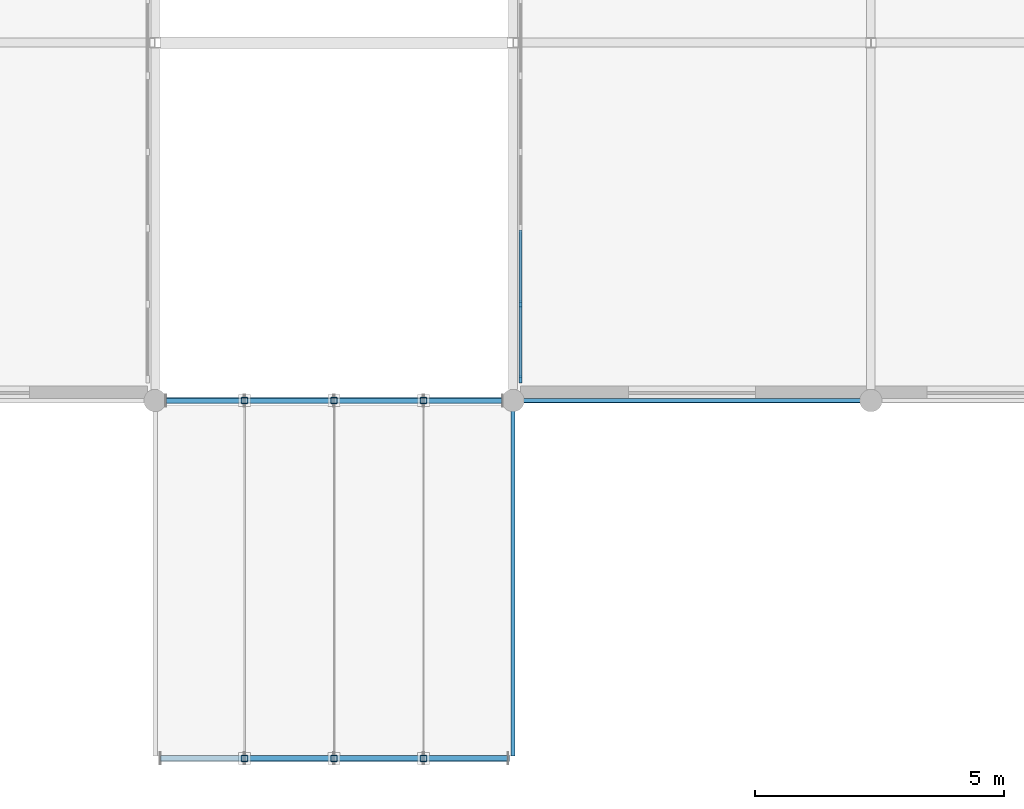
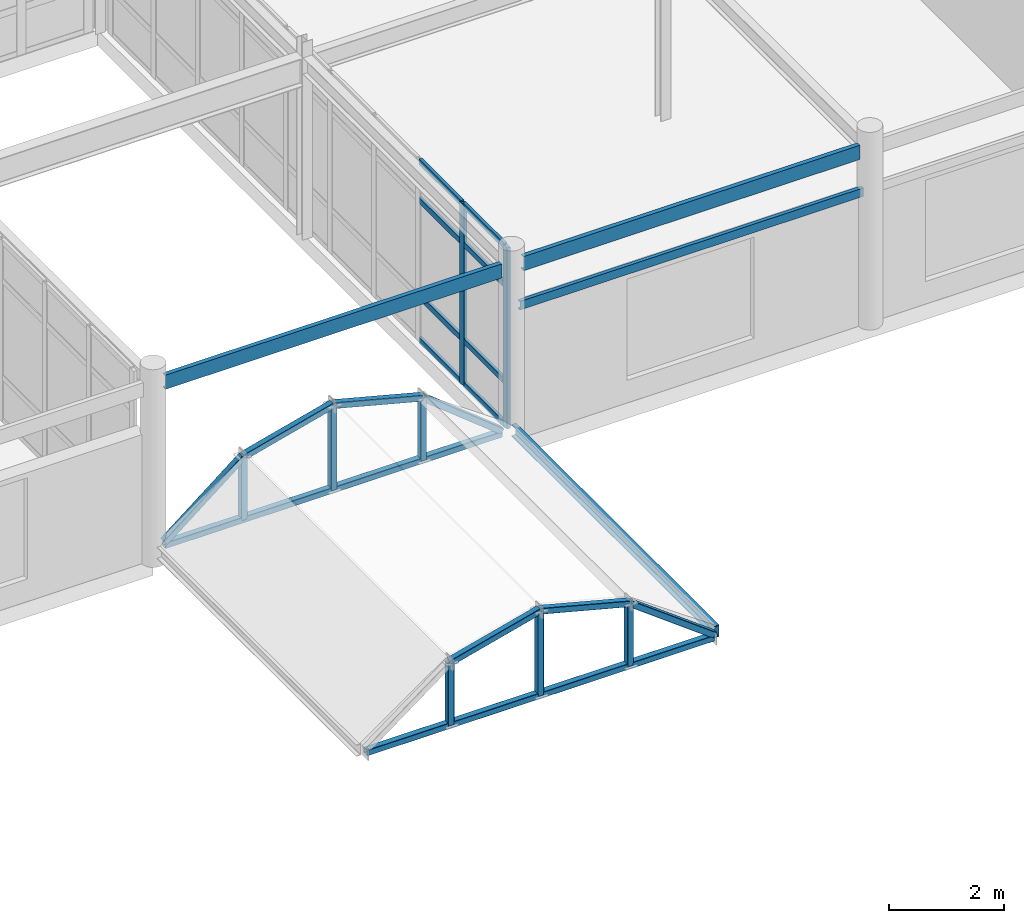
# One storey, part 21 of 85: 25 members, 4 beams, 1 element without a shape of its own.
"""IFC4 building model written with IfcOpenShell, lengths in metres."""

from ifc_helpers import new_model, si_unit, direction, frame, origin, origin_2d, place, context, subcontext, project, spatial, rectangle, hollow_rectangle, u_section, extrude, material, layer, layer_set, material_profile, profile_set, type_object, element, aggregate, save


model = new_model("IFC4")

# Units and contexts
model_context = context("Model", 3, precision=1e-05, world=origin(), true_north=direction((0.0, 1.0)))
body_context = subcontext(model_context, "Body", "Model", "MODEL_VIEW")
ifc_project = project(units=[si_unit("LENGTHUNIT", "METRE"), si_unit("AREAUNIT", "SQUARE_METRE"), si_unit("VOLUMEUNIT", "CUBIC_METRE"), si_unit("PLANEANGLEUNIT", "RADIAN"), si_unit("MASSUNIT", "GRAM", prefix="KILO")], contexts=[model_context])

# Site, building, storey
site_placement = place(None, origin())
site = spatial("IfcSite", under=ifc_project, at=site_placement, CompositionType="ELEMENT")
building_placement = place(site_placement, origin())
building = spatial("IfcBuilding", under=site, at=building_placement, Name="Ochrevale Crest", CompositionType="ELEMENT")
storey_placement = place(building_placement, frame((0.0, 0.0, 4.5)))
storey = spatial("IfcBuildingStorey", under=building, at=storey_placement, Name="L01", CompositionType="ELEMENT", Elevation=4.5)

# Beams
ifc_material_1 = material(Name="Steel S355", Category="steel")
ifc_material_profile_1 = material_profile(ifc_material_1, u_section(Depth=0.179931640625, FlangeWidth=0.074951171875, WebThickness=0.006103515625, FlangeThickness=0.010986328125, FilletRadius=0.011962890625, at=origin_2d()), Name="180PFC")
ifc_profile_set_1 = profile_set([ifc_material_profile_1], Name="Steel S355")
beam_type_1 = type_object("IfcBeamType", Name="BM-PFC180", PredefinedType="LINTEL", material=ifc_profile_set_1)
beam_1_placement = place(storey_placement, frame((86.550048828125, 7.199951171875, 2.85009765625), z_axis=(1.0, 0.0, 0.0), x_axis=(0.0, 1.0, 0.0)))
element("IfcBeam", 1, at=beam_1_placement, inside=storey, type_object=beam_type_1, Name="Retail shopfront steel lintel L01-3", PredefinedType="LINTEL", context=body_context, shape_type="SweptSolid", body=[
    extrude(u_section(Depth=0.179931640625, FlangeWidth=0.074951171875, WebThickness=0.006103515625, FlangeThickness=0.010986328125, FilletRadius=0.011962890625, at=origin_2d()), origin(), (0.0, 0.0, 1.0), 6.89990234375),
])
ifc_material_profile_2 = material_profile(ifc_material_1, u_section(Depth=0.25, FlangeWidth=0.090087890625, WebThickness=0.008056640625, FlangeThickness=0.014892578125, FilletRadius=0.011962890625, at=origin_2d()), Name="250PFC")
ifc_profile_set_2 = profile_set([ifc_material_profile_2], Name="Steel S355")
beam_type_2 = type_object("IfcBeamType", Name="BM-PFC250", PredefinedType="BEAM", material=ifc_profile_set_2)
beam_2_placement = place(storey_placement, frame((86.39990234375, 0.050048828125, 0.300048828125), z_axis=(0.0, 1.0, 0.0), x_axis=(-1.0, 0.0, 0.0)))
element("IfcBeam", 2, at=beam_2_placement, inside=storey, type_object=beam_type_2, Name="Entrance canopy edge channel beam", PredefinedType="BEAM", context=body_context, shape_type="SweptSolid", body=[
    extrude(u_section(Depth=0.25, FlangeWidth=0.090087890625, WebThickness=0.008056640625, FlangeThickness=0.014892578125, FilletRadius=0.011962890625, at=origin_2d()), origin(), (0.0, 0.0, 1.0), 7.070068359375),
])
ifc_material_profile_3 = material_profile(ifc_material_1, u_section(Depth=0.300048828125, FlangeWidth=0.090087890625, WebThickness=0.008056640625, FlangeThickness=0.01611328125, FilletRadius=0.013916015625, at=origin_2d()), Name="300PFC")
ifc_profile_set_3 = profile_set([ifc_material_profile_3], Name="Steel S355")
beam_type_3 = type_object("IfcBeamType", Name="BM-PFC300", PredefinedType="BEAM", material=ifc_profile_set_3)
beam_3_placement = place(storey_placement, frame((79.419921875, 7.199951171875, 3.72509765625), z_axis=(1.0, 0.0, 0.0), x_axis=(0.0, 1.0, 0.0)))
element("IfcBeam", 3, at=beam_3_placement, inside=storey, type_object=beam_type_3, Name="Retail arcade L01 E-W beam Y=7.2", PredefinedType="BEAM", context=body_context, shape_type="SweptSolid", body=[
    extrude(u_section(Depth=0.300048828125, FlangeWidth=0.090087890625, WebThickness=0.008056640625, FlangeThickness=0.01611328125, FilletRadius=0.013916015625, at=origin_2d()), origin(), (0.0, 0.0, 1.0), 6.760009765625),
])
beam_4_placement = place(storey_placement, frame((86.6201171875, 7.199951171875, 3.72509765625), z_axis=(1.0, 0.0, 0.0), x_axis=(0.0, 1.0, 0.0)))
element("IfcBeam", 4, at=beam_4_placement, inside=storey, type_object=beam_type_3, Name="Retail arcade L01 E-W beam Y=7.2", PredefinedType="BEAM", context=body_context, shape_type="SweptSolid", body=[
    extrude(u_section(Depth=0.300048828125, FlangeWidth=0.090087890625, WebThickness=0.008056640625, FlangeThickness=0.01611328125, FilletRadius=0.013916015625, at=origin_2d()), origin(), (0.0, 0.0, 1.0), 6.759765625),
])

# Curtain wall, members
ifc_material_2 = material(Name="Anodised aluminium 6063-T5", Category="aluminium")
ifc_layer = layer(ifc_material_2, 0.14990234375)
ifc_layer_set = layer_set([ifc_layer], Name="Anodised aluminium 6063-T5")
curtain_wall_type = type_object("IfcCurtainWallType", Name="CW-LNG-480x385", PredefinedType="NOTDEFINED", material=ifc_layer_set)
curtain_wall_placement = place(storey_placement, origin())
curtain_wall = element("IfcCurtainWall", 5, at=curtain_wall_placement, inside=storey, type_object=curtain_wall_type, Name="Upper Arcade E passage overlook curtain wall", PredefinedType="NOTDEFINED")
ifc_material_profile_4 = material_profile(ifc_material_2, rectangle(XDim=0.06494140625, YDim=0.14990234375, at=origin_2d()), Name="ALU 65x150")
ifc_profile_set_4 = profile_set([ifc_material_profile_4], Name="Anodised aluminium 6063-T5")
member_type_1 = type_object("IfcMemberType", Name="CW-MUL-65x150", PredefinedType="MULLION", material=ifc_profile_set_4)
member_1_placement = place(storey_placement, frame((86.550048828125, 7.632568359375, 0.0), z_axis=(0.0, 0.0, 1.0), x_axis=(-1.0, 0.0, 0.0)))
member_1 = element("IfcMember", 6, at=member_1_placement, type_object=member_type_1, Name="CW11 mullion 1", PredefinedType="MULLION", context=body_context, shape_type="SweptSolid", body=[
    extrude(rectangle(XDim=0.06494140625, YDim=0.14990234375, at=origin_2d()), origin(), (0.0, 0.0, 1.0), 3.85009765625),
])
member_2_placement = place(storey_placement, frame((86.550048828125, 9.13330078125, 0.0), z_axis=(0.0, 0.0, 1.0), x_axis=(-1.0, 0.0, 0.0)))
member_2 = element("IfcMember", 7, at=member_2_placement, type_object=member_type_1, Name="CW11 mullion 2", PredefinedType="MULLION", context=body_context, shape_type="SweptSolid", body=[
    extrude(rectangle(XDim=0.06494140625, YDim=0.14990234375, at=origin_2d()), origin(), (0.0, 0.0, 1.0), 3.85009765625),
])
ifc_material_profile_5 = material_profile(ifc_material_2, rectangle(XDim=0.06005859375, YDim=0.1201171875, at=origin_2d()), Name="ALU 60x120")
ifc_profile_set_5 = profile_set([ifc_material_profile_5], Name="Anodised aluminium 6063-T5")
member_type_2 = type_object("IfcMemberType", Name="CW-TRN-60x120", PredefinedType="USERDEFINED", material=ifc_profile_set_5)
member_3_placement = place(storey_placement, frame((86.550048828125, 7.6650390625, 0.030029296875), z_axis=(0.0, 1.0, 0.0), x_axis=(-1.0, 0.0, 0.0)))
member_3 = element("IfcMember", 8, at=member_3_placement, type_object=member_type_2, Name="CW11 transom 1.1", ObjectType="TRANSOM", PredefinedType="USERDEFINED", context=body_context, shape_type="SweptSolid", body=[
    extrude(rectangle(XDim=0.06005859375, YDim=0.1201171875, at=origin_2d()), origin(), (0.0, 0.0, 1.0), 1.435791015625),
])
member_4_placement = place(storey_placement, frame((86.550048828125, 7.6650390625, 0.949951171875), z_axis=(0.0, 1.0, 0.0), x_axis=(-1.0, 0.0, 0.0)))
member_4 = element("IfcMember", 9, at=member_4_placement, type_object=member_type_2, Name="CW11 transom 1.2", ObjectType="TRANSOM", PredefinedType="USERDEFINED", context=body_context, shape_type="SweptSolid", body=[
    extrude(rectangle(XDim=0.06005859375, YDim=0.1201171875, at=origin_2d()), origin(), (0.0, 0.0, 1.0), 1.435791015625),
])
member_5_placement = place(storey_placement, frame((86.550048828125, 7.6650390625, 3.0), z_axis=(0.0, 1.0, 0.0), x_axis=(-1.0, 0.0, 0.0)))
member_5 = element("IfcMember", 10, at=member_5_placement, type_object=member_type_2, Name="CW11 transom 1.3", ObjectType="TRANSOM", PredefinedType="USERDEFINED", context=body_context, shape_type="SweptSolid", body=[
    extrude(rectangle(XDim=0.06005859375, YDim=0.1201171875, at=origin_2d()), origin(), (0.0, 0.0, 1.0), 1.435791015625),
])
member_6_placement = place(storey_placement, frame((86.550048828125, 7.6650390625, 3.820068359375), z_axis=(0.0, 1.0, 0.0), x_axis=(-1.0, 0.0, 0.0)))
member_6 = element("IfcMember", 11, at=member_6_placement, type_object=member_type_2, Name="CW11 transom 1.4", ObjectType="TRANSOM", PredefinedType="USERDEFINED", context=body_context, shape_type="SweptSolid", body=[
    extrude(rectangle(XDim=0.06005859375, YDim=0.1201171875, at=origin_2d()), origin(), (0.0, 0.0, 1.0), 1.435791015625),
])
member_7_placement = place(storey_placement, frame((86.550048828125, 9.165771484375, 0.030029296875), z_axis=(0.0, 1.0, 0.0), x_axis=(-1.0, 0.0, 0.0)))
member_7 = element("IfcMember", 12, at=member_7_placement, type_object=member_type_2, Name="CW11 transom 2.1", ObjectType="TRANSOM", PredefinedType="USERDEFINED", context=body_context, shape_type="SweptSolid", body=[
    extrude(rectangle(XDim=0.06005859375, YDim=0.1201171875, at=origin_2d()), origin(), (0.0, 0.0, 1.0), 1.468505859375),
])
member_8_placement = place(storey_placement, frame((86.550048828125, 9.165771484375, 0.949951171875), z_axis=(0.0, 1.0, 0.0), x_axis=(-1.0, 0.0, 0.0)))
member_8 = element("IfcMember", 13, at=member_8_placement, type_object=member_type_2, Name="CW11 transom 2.2", ObjectType="TRANSOM", PredefinedType="USERDEFINED", context=body_context, shape_type="SweptSolid", body=[
    extrude(rectangle(XDim=0.06005859375, YDim=0.1201171875, at=origin_2d()), origin(), (0.0, 0.0, 1.0), 1.468505859375),
])
member_9_placement = place(storey_placement, frame((86.550048828125, 9.165771484375, 3.0), z_axis=(0.0, 1.0, 0.0), x_axis=(-1.0, 0.0, 0.0)))
member_9 = element("IfcMember", 14, at=member_9_placement, type_object=member_type_2, Name="CW11 transom 2.3", ObjectType="TRANSOM", PredefinedType="USERDEFINED", context=body_context, shape_type="SweptSolid", body=[
    extrude(rectangle(XDim=0.06005859375, YDim=0.1201171875, at=origin_2d()), origin(), (0.0, 0.0, 1.0), 1.468505859375),
])
member_10_placement = place(storey_placement, frame((86.550048828125, 9.165771484375, 3.820068359375), z_axis=(0.0, 1.0, 0.0), x_axis=(-1.0, 0.0, 0.0)))
member_10 = element("IfcMember", 15, at=member_10_placement, type_object=member_type_2, Name="CW11 transom 2.4", ObjectType="TRANSOM", PredefinedType="USERDEFINED", context=body_context, shape_type="SweptSolid", body=[
    extrude(rectangle(XDim=0.06005859375, YDim=0.1201171875, at=origin_2d()), origin(), (0.0, 0.0, 1.0), 1.468505859375),
])
aggregate(curtain_wall, [member_1, member_2, member_3, member_4, member_5, member_6, member_7, member_8, member_9, member_10])

# Members
ifc_material_profile_6 = material_profile(ifc_material_1, hollow_rectangle(XDim=0.125, YDim=0.125, WallThickness=0.006103515625, InnerFilletRadius=0.006103515625, OuterFilletRadius=0.011962890625, at=origin_2d()), Name="125x125x6.0SHS")
ifc_profile_set_6 = profile_set([ifc_material_profile_6], Name="Steel S355")
member_type_3 = type_object("IfcMemberType", Name="MEM-SHS125-CH", PredefinedType="CHORD", material=ifc_profile_set_6)
member_11_placement = place(storey_placement, frame((79.31005859375, 0.0, 0.260009765625), z_axis=(1.0, 0.0, 0.0), x_axis=(0.0, 1.0, 0.0)))
element("IfcMember", 16, at=member_11_placement, inside=storey, type_object=member_type_3, Name="Parabolic entrance canopy arch tie member", PredefinedType="CHORD", context=body_context, shape_type="SweptSolid", body=[
    extrude(hollow_rectangle(XDim=0.125, YDim=0.125, WallThickness=0.006103515625, InnerFilletRadius=0.006103515625, OuterFilletRadius=0.011962890625, at=origin_2d()), origin(), (0.0, 0.0, 1.0), 6.97998046875),
])
member_12_placement = place(storey_placement, frame((81.0, 0.0, 0.260009765625), z_axis=(0.0, 0.0, 1.0), x_axis=(1.0, 0.0, 0.0)))
element("IfcMember", 17, at=member_12_placement, inside=storey, type_object=member_type_3, Name="Parabolic entrance canopy arch web strut", PredefinedType="CHORD", context=body_context, shape_type="SweptSolid", body=[
    extrude(hollow_rectangle(XDim=0.125, YDim=0.125, WallThickness=0.006103515625, InnerFilletRadius=0.006103515625, OuterFilletRadius=0.011962890625, at=origin_2d()), origin(), (0.0, 0.0, 1.0), 1.320068359375),
])
member_13_placement = place(storey_placement, frame((82.800048828125, 0.0, 0.260009765625), z_axis=(0.0, 0.0, 1.0), x_axis=(1.0, 0.0, 0.0)))
element("IfcMember", 18, at=member_13_placement, inside=storey, type_object=member_type_3, Name="Parabolic entrance canopy arch web strut", PredefinedType="CHORD", context=body_context, shape_type="SweptSolid", body=[
    extrude(hollow_rectangle(XDim=0.125, YDim=0.125, WallThickness=0.006103515625, InnerFilletRadius=0.006103515625, OuterFilletRadius=0.011962890625, at=origin_2d()), origin(), (0.0, 0.0, 1.0), 1.7900390625),
])
member_14_placement = place(storey_placement, frame((84.60009765625, 0.0, 0.260009765625), z_axis=(0.0, 0.0, 1.0), x_axis=(1.0, 0.0, 0.0)))
element("IfcMember", 19, at=member_14_placement, inside=storey, type_object=member_type_3, Name="Parabolic entrance canopy arch web strut", PredefinedType="CHORD", context=body_context, shape_type="SweptSolid", body=[
    extrude(hollow_rectangle(XDim=0.125, YDim=0.125, WallThickness=0.006103515625, InnerFilletRadius=0.006103515625, OuterFilletRadius=0.011962890625, at=origin_2d()), origin(), (0.0, 0.0, 1.0), 1.320068359375),
])
for number, where, z_axis, x_axis, name in (
    (20, (81.0, 0.0, 1.580078125), (0.967565688903, 0.0, 0.252619551219), (0.0, 1.0, 0.0), "Parabolic entrance canopy arch chord"),
    (21, (82.800048828125, 0.0, 2.050048828125), (0.967565688903, 0.0, -0.252619551219), (0.0, 1.0, 0.0), "Parabolic entrance canopy arch chord"),
):
    element("IfcMember", number, at=place(storey_placement, frame(where, z_axis=z_axis, x_axis=x_axis)), inside=storey, type_object=member_type_3, Name=name, PredefinedType="CHORD", context=body_context, shape_type="SweptSolid", body=[
        extrude(hollow_rectangle(XDim=0.125, YDim=0.125, WallThickness=0.006103515625, InnerFilletRadius=0.006103515625, OuterFilletRadius=0.011962890625, at=origin_2d()), origin(), (0.0, 0.0, 1.0), 1.8603515625),
    ])
member_15_placement = place(storey_placement, frame((84.60009765625, 0.0, 1.580078125), z_axis=(0.801692381486, 0.0, -0.597736836297), x_axis=(0.0, 1.0, 0.0)))
element("IfcMember", 22, at=member_15_placement, inside=storey, type_object=member_type_3, Name="Parabolic entrance canopy arch chord", PredefinedType="CHORD", context=body_context, shape_type="SweptSolid", body=[
    extrude(hollow_rectangle(XDim=0.125, YDim=0.125, WallThickness=0.006103515625, InnerFilletRadius=0.006103515625, OuterFilletRadius=0.011962890625, at=origin_2d()), origin(), (0.0, 0.0, 1.0), 2.10791015625),
])
member_16_placement = place(storey_placement, frame((79.419921875, 7.199951171875, 0.260009765625), z_axis=(1.0, 0.0, 0.0), x_axis=(0.0, 1.0, 0.0)))
element("IfcMember", 23, at=member_16_placement, inside=storey, type_object=member_type_3, Name="Parabolic entrance canopy arch tie member", PredefinedType="CHORD", context=body_context, shape_type="SweptSolid", body=[
    extrude(hollow_rectangle(XDim=0.125, YDim=0.125, WallThickness=0.006103515625, InnerFilletRadius=0.006103515625, OuterFilletRadius=0.011962890625, at=origin_2d()), origin(), (0.0, 0.0, 1.0), 6.760009765625),
])
member_17_placement = place(storey_placement, frame((81.0, 7.199951171875, 0.260009765625), z_axis=(0.0, 0.0, 1.0), x_axis=(1.0, 0.0, 0.0)))
element("IfcMember", 24, at=member_17_placement, inside=storey, type_object=member_type_3, Name="Parabolic entrance canopy arch web strut", PredefinedType="CHORD", context=body_context, shape_type="SweptSolid", body=[
    extrude(hollow_rectangle(XDim=0.125, YDim=0.125, WallThickness=0.006103515625, InnerFilletRadius=0.006103515625, OuterFilletRadius=0.011962890625, at=origin_2d()), origin(), (0.0, 0.0, 1.0), 1.320068359375),
])
member_18_placement = place(storey_placement, frame((82.800048828125, 7.199951171875, 0.260009765625), z_axis=(0.0, 0.0, 1.0), x_axis=(1.0, 0.0, 0.0)))
element("IfcMember", 25, at=member_18_placement, inside=storey, type_object=member_type_3, Name="Parabolic entrance canopy arch web strut", PredefinedType="CHORD", context=body_context, shape_type="SweptSolid", body=[
    extrude(hollow_rectangle(XDim=0.125, YDim=0.125, WallThickness=0.006103515625, InnerFilletRadius=0.006103515625, OuterFilletRadius=0.011962890625, at=origin_2d()), origin(), (0.0, 0.0, 1.0), 1.7900390625),
])
member_19_placement = place(storey_placement, frame((84.60009765625, 7.199951171875, 0.260009765625), z_axis=(0.0, 0.0, 1.0), x_axis=(1.0, 0.0, 0.0)))
element("IfcMember", 26, at=member_19_placement, inside=storey, type_object=member_type_3, Name="Parabolic entrance canopy arch web strut", PredefinedType="CHORD", context=body_context, shape_type="SweptSolid", body=[
    extrude(hollow_rectangle(XDim=0.125, YDim=0.125, WallThickness=0.006103515625, InnerFilletRadius=0.006103515625, OuterFilletRadius=0.011962890625, at=origin_2d()), origin(), (0.0, 0.0, 1.0), 1.320068359375),
])
member_20_placement = place(storey_placement, frame((79.419921875, 7.199951171875, 0.320068359375), z_axis=(0.781846073049, 0.0, 0.623471505409), x_axis=(0.0, 1.0, 0.0)))
element("IfcMember", 27, at=member_20_placement, inside=storey, type_object=member_type_3, Name="Parabolic entrance canopy arch chord", PredefinedType="CHORD", context=body_context, shape_type="SweptSolid", body=[
    extrude(hollow_rectangle(XDim=0.125, YDim=0.125, WallThickness=0.006103515625, InnerFilletRadius=0.006103515625, OuterFilletRadius=0.011962890625, at=origin_2d()), origin(), (0.0, 0.0, 1.0), 2.02099609375),
])
for number, where, z_axis, x_axis, name in (
    (28, (81.0, 7.199951171875, 1.580078125), (0.967565688903, 0.0, 0.252619551219), (0.0, 1.0, 0.0), "Parabolic entrance canopy arch chord"),
    (29, (82.800048828125, 7.199951171875, 2.050048828125), (0.967565688903, 0.0, -0.252619551219), (0.0, 1.0, 0.0), "Parabolic entrance canopy arch chord"),
):
    element("IfcMember", number, at=place(storey_placement, frame(where, z_axis=z_axis, x_axis=x_axis)), inside=storey, type_object=member_type_3, Name=name, PredefinedType="CHORD", context=body_context, shape_type="SweptSolid", body=[
        extrude(hollow_rectangle(XDim=0.125, YDim=0.125, WallThickness=0.006103515625, InnerFilletRadius=0.006103515625, OuterFilletRadius=0.011962890625, at=origin_2d()), origin(), (0.0, 0.0, 1.0), 1.8603515625),
    ])
member_21_placement = place(storey_placement, frame((84.60009765625, 7.199951171875, 1.580078125), z_axis=(0.781799107706, 0.0, -0.623530396364), x_axis=(0.0, 1.0, 0.0)))
element("IfcMember", 30, at=member_21_placement, inside=storey, type_object=member_type_3, Name="Parabolic entrance canopy arch chord", PredefinedType="CHORD", context=body_context, shape_type="SweptSolid", body=[
    extrude(hollow_rectangle(XDim=0.125, YDim=0.125, WallThickness=0.006103515625, InnerFilletRadius=0.006103515625, OuterFilletRadius=0.011962890625, at=origin_2d()), origin(), (0.0, 0.0, 1.0), 2.020751953125),
])

save(model, "model.ifc")
